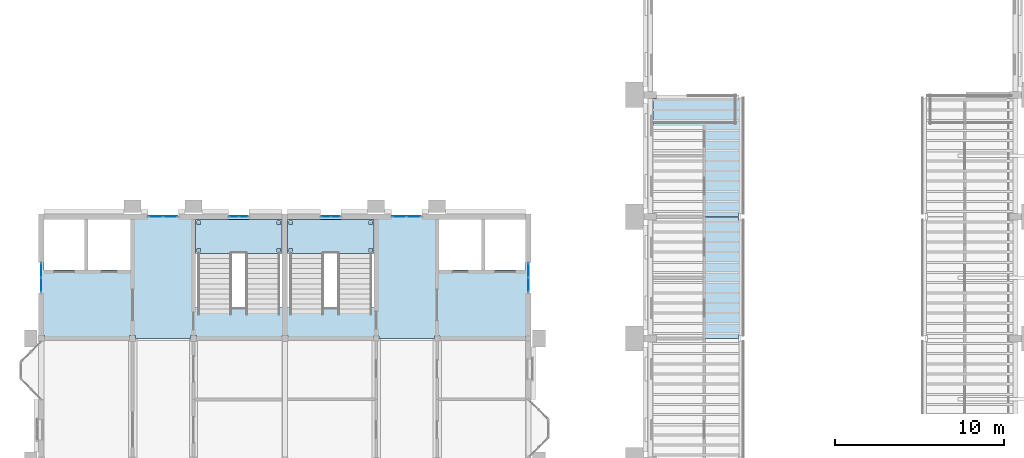
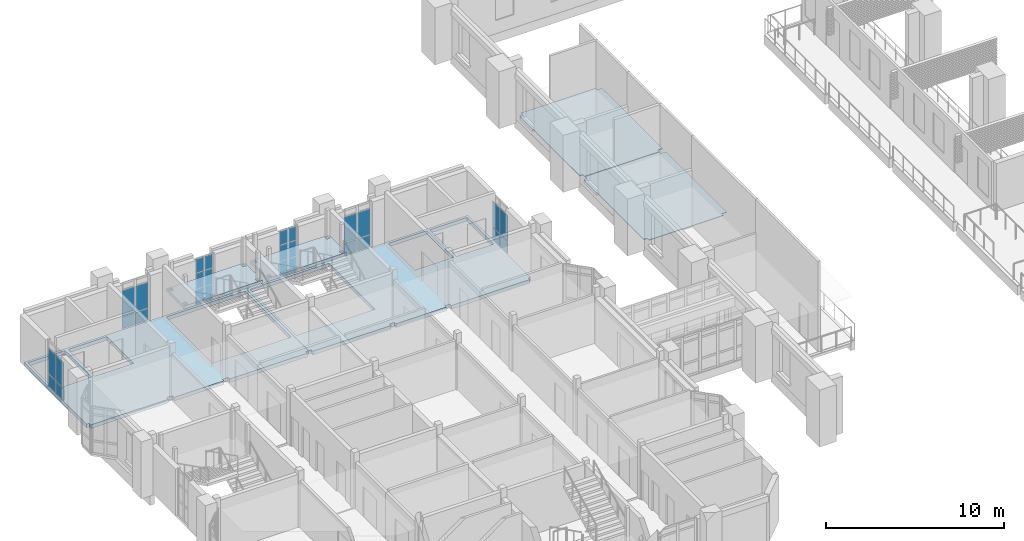
# One storey, part 29 of 69: 28 plates, 6 slabs, 8 elements without a shape of their own.
"""IFC4 building model written with IfcOpenShell, lengths in metres."""

from ifc_helpers import new_model, si_unit, direction, frame, origin, origin_2d, place, context, subcontext, project, spatial, polyline, rectangle, outline, extrude, material, layer, layer_set, type_object, element, aggregate, save


model = new_model("IFC4")

# Units and contexts
model_context = context("Model", 3, precision=1e-05, world=origin(), true_north=direction((0.0, 1.0)))
body_context = subcontext(model_context, "Body", "Model", "MODEL_VIEW")
ifc_project = project(units=[si_unit("LENGTHUNIT", "METRE"), si_unit("AREAUNIT", "SQUARE_METRE"), si_unit("VOLUMEUNIT", "CUBIC_METRE"), si_unit("PLANEANGLEUNIT", "RADIAN"), si_unit("MASSUNIT", "GRAM", prefix="KILO")], contexts=[model_context])

# Site, building, storey
site_placement = place(None, origin())
site = spatial("IfcSite", under=ifc_project, at=site_placement, CompositionType="ELEMENT")
building_placement = place(site_placement, origin())
building = spatial("IfcBuilding", under=site, at=building_placement, Name="Mazhai Court Health Centre", CompositionType="ELEMENT")
storey_placement = place(building_placement, frame((0.0, 0.0, 6.300048828125)))
storey = spatial("IfcBuildingStorey", under=building, at=storey_placement, Name="L01", CompositionType="ELEMENT", Elevation=6.300048828125)

# Curtain wall, plates
ifc_material_1 = material(Name="Teak timber frame, glazed", Category="wood")
ifc_layer_1 = layer(ifc_material_1, 0.10009765625)
ifc_layer_set_1 = layer_set([ifc_layer_1], Name="CURTAIN WALL TIMBER 900")
curtain_wall_type_1 = type_object("IfcCurtainWallType", Name="CURTAIN WALL TIMBER 900", PredefinedType="NOTDEFINED", material=ifc_layer_set_1)
curtain_wall_1_placement = place(storey_placement, origin())
curtain_wall_1 = element("IfcCurtainWall", 1, at=curtain_wall_1_placement, inside=storey, type_object=curtain_wall_type_1, Name="CW-V2-L01-A4", PredefinedType="NOTDEFINED")
ifc_material_2 = material(Name="Glass IGU 28 mm", Category="glass")
ifc_layer_2 = layer(ifc_material_2, 0.028076171875)
ifc_layer_set_2 = layer_set([ifc_layer_2], Name="CW PANEL IGU 28")
plate_type = type_object("IfcPlateType", Name="CW PANEL IGU 28", PredefinedType="CURTAIN_PANEL", material=ifc_layer_set_2)
plate_1_placement = place(storey_placement, frame((6.199951171875, 38.1650390625, 0.059814453125), z_axis=(0.0, 0.0, 1.0), x_axis=(0.0, 1.0, 0.0)))
plate_1 = element("IfcPlate", 2, at=plate_1_placement, type_object=plate_type, Name="CW panel 1.1", PredefinedType="CURTAIN_PANEL", context=body_context, shape_type="SweptSolid", body=[
    extrude(rectangle(XDim=0.81005859375, YDim=0.028076171875, at=origin_2d()), origin(), (0.0, 0.0, 1.0), 0.81005859375),
])
plate_2_placement = place(storey_placement, frame((6.199951171875, 38.1650390625, 0.93017578125), z_axis=(0.0, 0.0, 1.0), x_axis=(0.0, 1.0, 0.0)))
plate_2 = element("IfcPlate", 3, at=plate_2_placement, type_object=plate_type, Name="CW panel 1.2", PredefinedType="CURTAIN_PANEL", context=body_context, shape_type="SweptSolid", body=[
    extrude(rectangle(XDim=0.81005859375, YDim=0.028076171875, at=origin_2d()), origin(), (0.0, 0.0, 1.0), 1.739990234375),
])
plate_3_placement = place(storey_placement, frame((6.199951171875, 39.034912109375, 0.059814453125), z_axis=(0.0, 0.0, 1.0), x_axis=(0.0, 1.0, 0.0)))
plate_3 = element("IfcPlate", 4, at=plate_3_placement, type_object=plate_type, Name="CW panel 2.1", PredefinedType="CURTAIN_PANEL", context=body_context, shape_type="SweptSolid", body=[
    extrude(rectangle(XDim=0.81005859375, YDim=0.028076171875, at=origin_2d()), origin(), (0.0, 0.0, 1.0), 0.81005859375),
])
plate_4_placement = place(storey_placement, frame((6.199951171875, 39.034912109375, 0.93017578125), z_axis=(0.0, 0.0, 1.0), x_axis=(0.0, 1.0, 0.0)))
plate_4 = element("IfcPlate", 5, at=plate_4_placement, type_object=plate_type, Name="CW panel 2.2", PredefinedType="CURTAIN_PANEL", context=body_context, shape_type="SweptSolid", body=[
    extrude(rectangle(XDim=0.81005859375, YDim=0.028076171875, at=origin_2d()), origin(), (0.0, 0.0, 1.0), 1.739990234375),
])
aggregate(curtain_wall_1, [plate_1, plate_2, plate_3, plate_4])

curtain_wall_2_placement = place(storey_placement, origin())
curtain_wall_2 = element("IfcCurtainWall", 6, at=curtain_wall_2_placement, inside=storey, type_object=curtain_wall_type_1, Name="CW-V2-L01-ELIFT0", PredefinedType="NOTDEFINED")
plate_5_placement = place(storey_placement, frame((12.965087890625, 42.199951171875, 0.059814453125), z_axis=(0.0, 0.0, 1.0), x_axis=(1.0, 0.0, 0.0)))
plate_5 = element("IfcPlate", 7, at=plate_5_placement, type_object=plate_type, Name="CW panel 1.1", PredefinedType="CURTAIN_PANEL", context=body_context, shape_type="SweptSolid", body=[
    extrude(rectangle(XDim=0.81005859375, YDim=0.028076171875, at=origin_2d()), origin(), (0.0, 0.0, 1.0), 0.81005859375),
])
plate_6_placement = place(storey_placement, frame((12.965087890625, 42.199951171875, 0.93017578125), z_axis=(0.0, 0.0, 1.0), x_axis=(1.0, 0.0, 0.0)))
plate_6 = element("IfcPlate", 8, at=plate_6_placement, type_object=plate_type, Name="CW panel 1.2", PredefinedType="CURTAIN_PANEL", context=body_context, shape_type="SweptSolid", body=[
    extrude(rectangle(XDim=0.81005859375, YDim=0.028076171875, at=origin_2d()), origin(), (0.0, 0.0, 1.0), 1.739990234375),
])
plate_7_placement = place(storey_placement, frame((13.8349609375, 42.199951171875, 0.059814453125), z_axis=(0.0, 0.0, 1.0), x_axis=(1.0, 0.0, 0.0)))
plate_7 = element("IfcPlate", 9, at=plate_7_placement, type_object=plate_type, Name="CW panel 2.1", PredefinedType="CURTAIN_PANEL", context=body_context, shape_type="SweptSolid", body=[
    extrude(rectangle(XDim=0.81005859375, YDim=0.028076171875, at=origin_2d()), origin(), (0.0, 0.0, 1.0), 0.81005859375),
])
plate_8_placement = place(storey_placement, frame((13.8349609375, 42.199951171875, 0.93017578125), z_axis=(0.0, 0.0, 1.0), x_axis=(1.0, 0.0, 0.0)))
plate_8 = element("IfcPlate", 10, at=plate_8_placement, type_object=plate_type, Name="CW panel 2.2", PredefinedType="CURTAIN_PANEL", context=body_context, shape_type="SweptSolid", body=[
    extrude(rectangle(XDim=0.81005859375, YDim=0.028076171875, at=origin_2d()), origin(), (0.0, 0.0, 1.0), 1.739990234375),
])
aggregate(curtain_wall_2, [plate_5, plate_6, plate_7, plate_8])

ifc_material_3 = material(Name="Teak timber frame, glazed", Category="wood")
ifc_layer_3 = layer(ifc_material_3, 0.10009765625)
ifc_layer_set_3 = layer_set([ifc_layer_3], Name="CURTAIN WALL TIMBER 600")
curtain_wall_type_2 = type_object("IfcCurtainWallType", Name="CURTAIN WALL TIMBER 600", PredefinedType="NOTDEFINED", material=ifc_layer_set_3)
curtain_wall_3_placement = place(storey_placement, origin())
curtain_wall_3 = element("IfcCurtainWall", 11, at=curtain_wall_3_placement, inside=storey, type_object=curtain_wall_type_2, Name="CW-V2-L01-ESTAIR1", PredefinedType="NOTDEFINED")
plate_9_placement = place(storey_placement, frame((17.594970703125, 42.199951171875, 0.06005859375), z_axis=(0.0, 0.0, 1.0), x_axis=(1.0, 0.0, 0.0)))
plate_9 = element("IfcPlate", 12, at=plate_9_placement, type_object=plate_type, Name="CW panel 1.1", PredefinedType="CURTAIN_PANEL", context=body_context, shape_type="SweptSolid", body=[
    extrude(rectangle(XDim=0.510009765625, YDim=0.028076171875, at=origin_2d()), origin(), (0.0, 0.0, 1.0), 1.010009765625),
])
plate_10_placement = place(storey_placement, frame((17.594970703125, 42.199951171875, 1.1298828125), z_axis=(0.0, 0.0, 1.0), x_axis=(1.0, 0.0, 0.0)))
plate_10 = element("IfcPlate", 13, at=plate_10_placement, type_object=plate_type, Name="CW panel 1.2", PredefinedType="CURTAIN_PANEL", context=body_context, shape_type="SweptSolid", body=[
    extrude(rectangle(XDim=0.510009765625, YDim=0.028076171875, at=origin_2d()), origin(), (0.0, 0.0, 1.0), 1.0400390625),
])
plate_11_placement = place(storey_placement, frame((17.594970703125, 42.199951171875, 2.22998046875), z_axis=(0.0, 0.0, 1.0), x_axis=(1.0, 0.0, 0.0)))
plate_11 = element("IfcPlate", 14, at=plate_11_placement, type_object=plate_type, Name="CW panel 1.3", PredefinedType="CURTAIN_PANEL", context=body_context, shape_type="SweptSolid", body=[
    extrude(rectangle(XDim=0.510009765625, YDim=0.028076171875, at=origin_2d()), origin(), (0.0, 0.0, 1.0), 0.909912109375),
])
plate_12_placement = place(storey_placement, frame((18.1650390625, 42.199951171875, 0.06005859375), z_axis=(0.0, 0.0, 1.0), x_axis=(1.0, 0.0, 0.0)))
plate_12 = element("IfcPlate", 15, at=plate_12_placement, type_object=plate_type, Name="CW panel 2.1", PredefinedType="CURTAIN_PANEL", context=body_context, shape_type="SweptSolid", body=[
    extrude(rectangle(XDim=0.510009765625, YDim=0.028076171875, at=origin_2d()), origin(), (0.0, 0.0, 1.0), 1.010009765625),
])
plate_13_placement = place(storey_placement, frame((18.1650390625, 42.199951171875, 1.1298828125), z_axis=(0.0, 0.0, 1.0), x_axis=(1.0, 0.0, 0.0)))
plate_13 = element("IfcPlate", 16, at=plate_13_placement, type_object=plate_type, Name="CW panel 2.2", PredefinedType="CURTAIN_PANEL", context=body_context, shape_type="SweptSolid", body=[
    extrude(rectangle(XDim=0.510009765625, YDim=0.028076171875, at=origin_2d()), origin(), (0.0, 0.0, 1.0), 1.0400390625),
])
plate_14_placement = place(storey_placement, frame((18.1650390625, 42.199951171875, 2.22998046875), z_axis=(0.0, 0.0, 1.0), x_axis=(1.0, 0.0, 0.0)))
plate_14 = element("IfcPlate", 17, at=plate_14_placement, type_object=plate_type, Name="CW panel 2.3", PredefinedType="CURTAIN_PANEL", context=body_context, shape_type="SweptSolid", body=[
    extrude(rectangle(XDim=0.510009765625, YDim=0.028076171875, at=origin_2d()), origin(), (0.0, 0.0, 1.0), 0.909912109375),
])
aggregate(curtain_wall_3, [plate_9, plate_10, plate_11, plate_12, plate_13, plate_14])

curtain_wall_4_placement = place(storey_placement, origin())
curtain_wall_4 = element("IfcCurtainWall", 18, at=curtain_wall_4_placement, inside=storey, type_object=curtain_wall_type_1, Name="CW-V5-L01-B4", PredefinedType="NOTDEFINED")
plate_15_placement = place(storey_placement, frame((35.0, 39.034912109375, 0.059814453125), z_axis=(0.0, 0.0, 1.0), x_axis=(0.0, -1.0, 0.0)))
plate_15 = element("IfcPlate", 19, at=plate_15_placement, type_object=plate_type, Name="CW panel 1.1", PredefinedType="CURTAIN_PANEL", context=body_context, shape_type="SweptSolid", body=[
    extrude(rectangle(XDim=0.81005859375, YDim=0.028076171875, at=origin_2d()), origin(), (0.0, 0.0, 1.0), 0.81005859375),
])
plate_16_placement = place(storey_placement, frame((35.0, 39.034912109375, 0.93017578125), z_axis=(0.0, 0.0, 1.0), x_axis=(0.0, -1.0, 0.0)))
plate_16 = element("IfcPlate", 20, at=plate_16_placement, type_object=plate_type, Name="CW panel 1.2", PredefinedType="CURTAIN_PANEL", context=body_context, shape_type="SweptSolid", body=[
    extrude(rectangle(XDim=0.81005859375, YDim=0.028076171875, at=origin_2d()), origin(), (0.0, 0.0, 1.0), 1.739990234375),
])
plate_17_placement = place(storey_placement, frame((35.0, 38.1650390625, 0.059814453125), z_axis=(0.0, 0.0, 1.0), x_axis=(0.0, -1.0, 0.0)))
plate_17 = element("IfcPlate", 21, at=plate_17_placement, type_object=plate_type, Name="CW panel 2.1", PredefinedType="CURTAIN_PANEL", context=body_context, shape_type="SweptSolid", body=[
    extrude(rectangle(XDim=0.81005859375, YDim=0.028076171875, at=origin_2d()), origin(), (0.0, 0.0, 1.0), 0.81005859375),
])
plate_18_placement = place(storey_placement, frame((35.0, 38.1650390625, 0.93017578125), z_axis=(0.0, 0.0, 1.0), x_axis=(0.0, -1.0, 0.0)))
plate_18 = element("IfcPlate", 22, at=plate_18_placement, type_object=plate_type, Name="CW panel 2.2", PredefinedType="CURTAIN_PANEL", context=body_context, shape_type="SweptSolid", body=[
    extrude(rectangle(XDim=0.81005859375, YDim=0.028076171875, at=origin_2d()), origin(), (0.0, 0.0, 1.0), 1.739990234375),
])
aggregate(curtain_wall_4, [plate_15, plate_16, plate_17, plate_18])

curtain_wall_5_placement = place(storey_placement, origin())
curtain_wall_5 = element("IfcCurtainWall", 23, at=curtain_wall_5_placement, inside=storey, type_object=curtain_wall_type_2, Name="CW-V5-L01-ESTAIR0", PredefinedType="NOTDEFINED")
plate_19_placement = place(storey_placement, frame((23.034912109375, 42.199951171875, 0.06005859375), z_axis=(0.0, 0.0, 1.0), x_axis=(1.0, 0.0, 0.0)))
plate_19 = element("IfcPlate", 24, at=plate_19_placement, type_object=plate_type, Name="CW panel 1.1", PredefinedType="CURTAIN_PANEL", context=body_context, shape_type="SweptSolid", body=[
    extrude(rectangle(XDim=0.510009765625, YDim=0.028076171875, at=origin_2d()), origin(), (0.0, 0.0, 1.0), 1.010009765625),
])
plate_20_placement = place(storey_placement, frame((23.034912109375, 42.199951171875, 1.1298828125), z_axis=(0.0, 0.0, 1.0), x_axis=(1.0, 0.0, 0.0)))
plate_20 = element("IfcPlate", 25, at=plate_20_placement, type_object=plate_type, Name="CW panel 1.2", PredefinedType="CURTAIN_PANEL", context=body_context, shape_type="SweptSolid", body=[
    extrude(rectangle(XDim=0.510009765625, YDim=0.028076171875, at=origin_2d()), origin(), (0.0, 0.0, 1.0), 1.0400390625),
])
plate_21_placement = place(storey_placement, frame((23.034912109375, 42.199951171875, 2.22998046875), z_axis=(0.0, 0.0, 1.0), x_axis=(1.0, 0.0, 0.0)))
plate_21 = element("IfcPlate", 26, at=plate_21_placement, type_object=plate_type, Name="CW panel 1.3", PredefinedType="CURTAIN_PANEL", context=body_context, shape_type="SweptSolid", body=[
    extrude(rectangle(XDim=0.510009765625, YDim=0.028076171875, at=origin_2d()), origin(), (0.0, 0.0, 1.0), 0.909912109375),
])
plate_22_placement = place(storey_placement, frame((23.60498046875, 42.199951171875, 0.06005859375), z_axis=(0.0, 0.0, 1.0), x_axis=(1.0, 0.0, 0.0)))
plate_22 = element("IfcPlate", 27, at=plate_22_placement, type_object=plate_type, Name="CW panel 2.1", PredefinedType="CURTAIN_PANEL", context=body_context, shape_type="SweptSolid", body=[
    extrude(rectangle(XDim=0.510009765625, YDim=0.028076171875, at=origin_2d()), origin(), (0.0, 0.0, 1.0), 1.010009765625),
])
plate_23_placement = place(storey_placement, frame((23.60498046875, 42.199951171875, 1.1298828125), z_axis=(0.0, 0.0, 1.0), x_axis=(1.0, 0.0, 0.0)))
plate_23 = element("IfcPlate", 28, at=plate_23_placement, type_object=plate_type, Name="CW panel 2.2", PredefinedType="CURTAIN_PANEL", context=body_context, shape_type="SweptSolid", body=[
    extrude(rectangle(XDim=0.510009765625, YDim=0.028076171875, at=origin_2d()), origin(), (0.0, 0.0, 1.0), 1.0400390625),
])
plate_24_placement = place(storey_placement, frame((23.60498046875, 42.199951171875, 2.22998046875), z_axis=(0.0, 0.0, 1.0), x_axis=(1.0, 0.0, 0.0)))
plate_24 = element("IfcPlate", 29, at=plate_24_placement, type_object=plate_type, Name="CW panel 2.3", PredefinedType="CURTAIN_PANEL", context=body_context, shape_type="SweptSolid", body=[
    extrude(rectangle(XDim=0.510009765625, YDim=0.028076171875, at=origin_2d()), origin(), (0.0, 0.0, 1.0), 0.909912109375),
])
aggregate(curtain_wall_5, [plate_19, plate_20, plate_21, plate_22, plate_23, plate_24])

curtain_wall_6_placement = place(storey_placement, origin())
curtain_wall_6 = element("IfcCurtainWall", 30, at=curtain_wall_6_placement, inside=storey, type_object=curtain_wall_type_1, Name="CW-V5-L01-ELIFT1", PredefinedType="NOTDEFINED")
plate_25_placement = place(storey_placement, frame((27.364990234375, 42.199951171875, 0.059814453125), z_axis=(0.0, 0.0, 1.0), x_axis=(1.0, 0.0, 0.0)))
plate_25 = element("IfcPlate", 31, at=plate_25_placement, type_object=plate_type, Name="CW panel 1.1", PredefinedType="CURTAIN_PANEL", context=body_context, shape_type="SweptSolid", body=[
    extrude(rectangle(XDim=0.81005859375, YDim=0.028076171875, at=origin_2d()), origin(), (0.0, 0.0, 1.0), 0.81005859375),
])
plate_26_placement = place(storey_placement, frame((27.364990234375, 42.199951171875, 0.93017578125), z_axis=(0.0, 0.0, 1.0), x_axis=(1.0, 0.0, 0.0)))
plate_26 = element("IfcPlate", 32, at=plate_26_placement, type_object=plate_type, Name="CW panel 1.2", PredefinedType="CURTAIN_PANEL", context=body_context, shape_type="SweptSolid", body=[
    extrude(rectangle(XDim=0.81005859375, YDim=0.028076171875, at=origin_2d()), origin(), (0.0, 0.0, 1.0), 1.739990234375),
])
plate_27_placement = place(storey_placement, frame((28.235107421875, 42.199951171875, 0.059814453125), z_axis=(0.0, 0.0, 1.0), x_axis=(1.0, 0.0, 0.0)))
plate_27 = element("IfcPlate", 33, at=plate_27_placement, type_object=plate_type, Name="CW panel 2.1", PredefinedType="CURTAIN_PANEL", context=body_context, shape_type="SweptSolid", body=[
    extrude(rectangle(XDim=0.81005859375, YDim=0.028076171875, at=origin_2d()), origin(), (0.0, 0.0, 1.0), 0.81005859375),
])
plate_28_placement = place(storey_placement, frame((28.235107421875, 42.199951171875, 0.93017578125), z_axis=(0.0, 0.0, 1.0), x_axis=(1.0, 0.0, 0.0)))
plate_28 = element("IfcPlate", 34, at=plate_28_placement, type_object=plate_type, Name="CW panel 2.2", PredefinedType="CURTAIN_PANEL", context=body_context, shape_type="SweptSolid", body=[
    extrude(rectangle(XDim=0.81005859375, YDim=0.028076171875, at=origin_2d()), origin(), (0.0, 0.0, 1.0), 1.739990234375),
])
aggregate(curtain_wall_6, [plate_25, plate_26, plate_27, plate_28])

# Slabs
ifc_material_4 = material(Name="Plywood EN 636-3", Category="wood")
ifc_layer_4 = layer(ifc_material_4, 0.0400390625)
ifc_layer_set_4 = layer_set([ifc_layer_4], Name="Plywood EN 636-3 40 gallery deck")
slab_type_1 = type_object("IfcSlabType", Name="Plywood EN 636-3 40 gallery deck", PredefinedType="FLOOR", material=ifc_layer_set_4)
slab_1_placement = place(storey_placement, frame((0.0, 0.0, -0.0400390625)))
element("IfcSlab", 35, at=slab_1_placement, inside=storey, type_object=slab_type_1, Name="slab-V1-L01-W3", PredefinedType="FLOOR", context=body_context, shape_type="SweptSolid", body=[
    extrude(outline(polyline([(47.739990234375, 35.18994140625), (47.739990234375, 42.010009765625), (47.409912109375, 42.010009765625), (47.409912109375, 42.18994140625), (42.570068359375, 42.18994140625), (42.570068359375, 41.989990234375), (42.364990234375, 41.989990234375), (42.364990234375, 35.2099609375), (42.570068359375, 35.2099609375), (42.570068359375, 35.010009765625), (47.409912109375, 35.010009765625), (47.409912109375, 35.18994140625), (47.739990234375, 35.18994140625)])), origin(), (0.0, 0.0, 1.0), 0.0400390625),
])
slab_2_placement = place(storey_placement, frame((0.0, 0.0, -0.0400390625)))
element("IfcSlab", 36, at=slab_2_placement, inside=storey, type_object=slab_type_1, Name="slab-V1-L01-W4", PredefinedType="FLOOR", context=body_context, shape_type="SweptSolid", body=[
    extrude(outline(polyline([(47.739990234375, 42.389892578125), (47.739990234375, 49.2099609375), (47.409912109375, 49.2099609375), (47.409912109375, 49.389892578125), (42.570068359375, 49.389892578125), (42.570068359375, 49.18994140625), (42.364990234375, 49.18994140625), (42.364990234375, 42.409912109375), (42.570068359375, 42.409912109375), (42.570068359375, 42.2099609375), (47.409912109375, 42.2099609375), (47.409912109375, 42.389892578125), (47.739990234375, 42.389892578125)])), origin(), (0.0, 0.0, 1.0), 0.0400390625),
])
ifc_material_5 = material(Name="Concrete M40", Category="concrete")
ifc_layer_5 = layer(ifc_material_5, 0.25)
ifc_layer_set_5 = layer_set([ifc_layer_5], Name="RC CORE FLOOR 250 M40")
slab_type_2 = type_object("IfcSlabType", Name="RC CORE FLOOR 250 M40", PredefinedType="FLOOR", material=ifc_layer_set_5)
slab_3_placement = place(storey_placement, frame((0.0, 0.0, -0.25)))
element("IfcSlab", 37, at=slab_3_placement, inside=storey, type_object=slab_type_2, Name="core-C3-floor-L01", PredefinedType="FLOOR", context=body_context, shape_type="SweptSolid", body=[
    extrude(outline(polyline([(20.60009765625, 42.199951171875), (20.60009765625, 35.179931640625), (20.419921875, 35.179931640625), (20.419921875, 35.0), (15.3798828125, 35.0), (15.3798828125, 35.179931640625), (15.02001953125, 35.179931640625), (15.02001953125, 35.0), (11.780029296875, 35.0), (11.780029296875, 35.179931640625), (11.419921875, 35.179931640625), (11.419921875, 35.0), (6.3798828125, 35.0), (6.3798828125, 35.179931640625), (6.199951171875, 35.179931640625), (6.199951171875, 42.199951171875), (20.60009765625, 42.199951171875)]), holes=[polyline([(15.324951171875, 36.826416015625), (20.43505859375, 36.826416015625), (20.43505859375, 42.034912109375), (15.324951171875, 42.034912109375), (15.324951171875, 36.826416015625)]), polyline([(8.764892578125, 42.034912109375), (6.364990234375, 42.034912109375), (6.364990234375, 39.034912109375), (8.764892578125, 39.034912109375), (8.764892578125, 42.034912109375)]), polyline([(11.47509765625, 42.034912109375), (8.965087890625, 42.034912109375), (8.965087890625, 39.034912109375), (11.47509765625, 39.034912109375), (11.47509765625, 42.034912109375)])]), origin(), (0.0, 0.0, 1.0), 0.25),
])
slab_4_placement = place(storey_placement, frame((0.0, 0.0, -0.25)))
element("IfcSlab", 38, at=slab_4_placement, inside=storey, type_object=slab_type_2, Name="core-C5-floor-L01", PredefinedType="FLOOR", context=body_context, shape_type="SweptSolid", body=[
    extrude(outline(polyline([(35.0, 42.199951171875), (35.0, 35.159912109375), (34.840087890625, 35.159912109375), (34.840087890625, 35.0), (29.760009765625, 35.0), (29.760009765625, 35.159912109375), (29.43994140625, 35.159912109375), (29.43994140625, 35.0), (26.159912109375, 35.0), (26.159912109375, 35.159912109375), (25.840087890625, 35.159912109375), (25.840087890625, 35.0), (20.780029296875, 35.0), (20.780029296875, 35.179931640625), (20.60009765625, 35.179931640625), (20.60009765625, 42.199951171875), (35.0, 42.199951171875)]), holes=[polyline([(20.764892578125, 36.826416015625), (25.875, 36.826416015625), (25.875, 42.034912109375), (20.764892578125, 42.034912109375), (20.764892578125, 36.826416015625)]), polyline([(32.235107421875, 42.034912109375), (29.72509765625, 42.034912109375), (29.72509765625, 39.034912109375), (32.235107421875, 39.034912109375), (32.235107421875, 42.034912109375)]), polyline([(34.8349609375, 42.034912109375), (32.43505859375, 42.034912109375), (32.43505859375, 39.034912109375), (34.8349609375, 39.034912109375), (34.8349609375, 42.034912109375)])]), origin(), (0.0, 0.0, 1.0), 0.25),
])

# Stair, slab
ifc_material_6 = material(Name="Concrete M40", Category="concrete")
stair_type = type_object("IfcStairType", Name="RC STAIR 2000 26R", PredefinedType="DOUBLE_RETURN_STAIR", material=ifc_material_6)
stair_1_placement = place(storey_placement, origin())
stair_1 = element("IfcStair", 39, at=stair_1_placement, inside=storey, type_object=stair_type, Name="L01 Stair 3", PredefinedType="HALF_TURN_STAIR")
ifc_material_7 = material(Name="Concrete M40", Category="concrete")
ifc_layer_6 = layer(ifc_material_7, 0.199951171875)
ifc_layer_set_6 = layer_set([ifc_layer_6], Name="RC STAIR LANDING 200 M40")
slab_type_3 = type_object("IfcSlabType", Name="RC STAIR LANDING 200 M40", PredefinedType="LANDING", material=ifc_layer_set_6)
slab_5_placement = place(storey_placement, frame((0.0, 0.0, 1.75)))
slab_5 = element("IfcSlab", 40, at=slab_5_placement, type_object=slab_type_3, Name="ST3 landing 1", PredefinedType="LANDING", context=body_context, shape_type="SweptSolid", body=[
    extrude(outline(polyline([(20.43505859375, 40.034912109375), (20.43505859375, 42.034912109375), (15.324951171875, 42.034912109375), (15.324951171875, 40.034912109375), (20.43505859375, 40.034912109375)]), holes=[polyline([(15.4150390625, 41.72509765625), (15.625, 41.72509765625), (15.625, 41.93505859375), (15.4150390625, 41.93505859375), (15.4150390625, 41.72509765625)]), polyline([(20.125, 41.72509765625), (20.3349609375, 41.72509765625), (20.3349609375, 41.93505859375), (20.125, 41.93505859375), (20.125, 41.72509765625)]), polyline([(15.4150390625, 40.125), (15.625, 40.125), (15.625, 40.3349609375), (15.4150390625, 40.3349609375), (15.4150390625, 40.125)]), polyline([(20.125, 40.125), (20.3349609375, 40.125), (20.3349609375, 40.3349609375), (20.125, 40.3349609375), (20.125, 40.125)])]), origin(), (0.0, 0.0, 1.0), 0.199951171875),
])
aggregate(stair_1, [slab_5])

stair_2_placement = place(storey_placement, origin())
stair_2 = element("IfcStair", 41, at=stair_2_placement, inside=storey, type_object=stair_type, Name="L01 Stair 5", PredefinedType="HALF_TURN_STAIR")
slab_6_placement = place(storey_placement, frame((0.0, 0.0, 1.75)))
slab_6 = element("IfcSlab", 42, at=slab_6_placement, type_object=slab_type_3, Name="ST5 landing 1", PredefinedType="LANDING", context=body_context, shape_type="SweptSolid", body=[
    extrude(outline(polyline([(25.875, 40.034912109375), (25.875, 42.034912109375), (20.764892578125, 42.034912109375), (20.764892578125, 40.034912109375), (25.875, 40.034912109375)]), holes=[polyline([(20.85498046875, 41.72509765625), (21.06494140625, 41.72509765625), (21.06494140625, 41.93505859375), (20.85498046875, 41.93505859375), (20.85498046875, 41.72509765625)]), polyline([(25.574951171875, 41.72509765625), (25.784912109375, 41.72509765625), (25.784912109375, 41.93505859375), (25.574951171875, 41.93505859375), (25.574951171875, 41.72509765625)]), polyline([(20.85498046875, 40.125), (21.06494140625, 40.125), (21.06494140625, 40.3349609375), (20.85498046875, 40.3349609375), (20.85498046875, 40.125)]), polyline([(25.574951171875, 40.125), (25.784912109375, 40.125), (25.784912109375, 40.3349609375), (25.574951171875, 40.3349609375), (25.574951171875, 40.125)])]), origin(), (0.0, 0.0, 1.0), 0.199951171875),
])
aggregate(stair_2, [slab_6])

save(model, "model.ifc")
